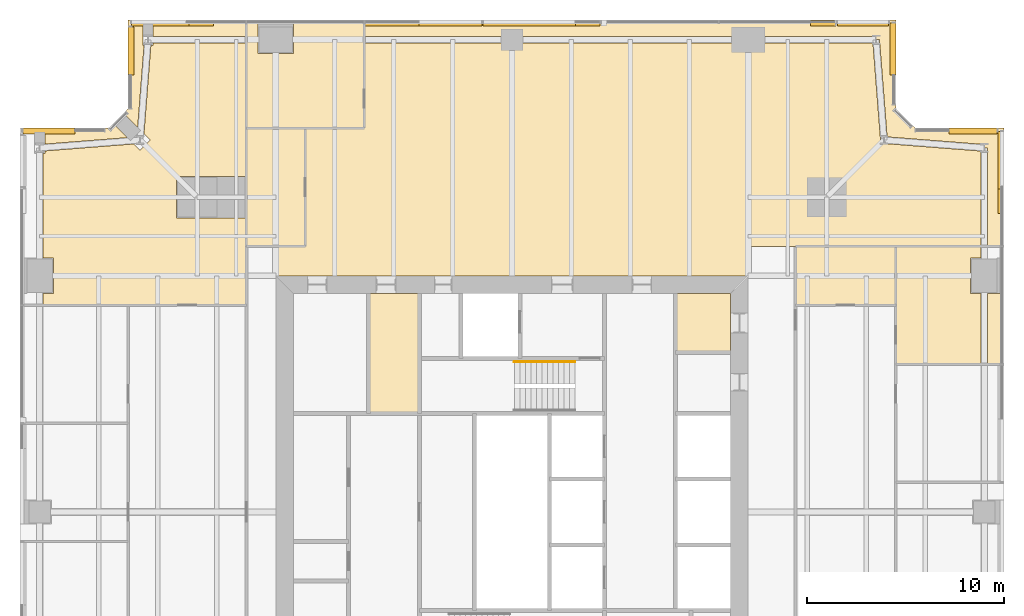
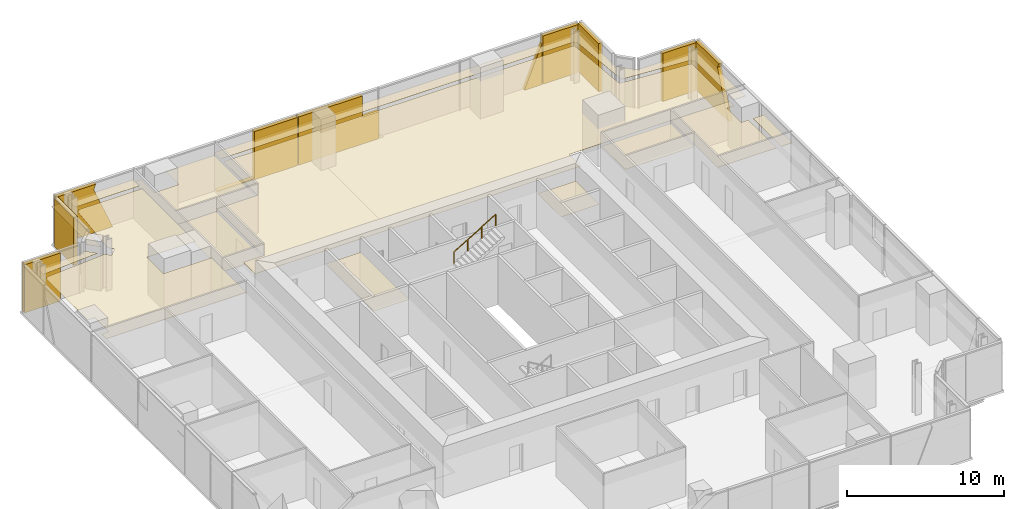
# One storey, part 13 of 16: 23 coverings, 1 railing.
"""IFC4 building model written with IfcOpenShell, lengths in metres."""

from ifc_helpers import new_model, si_unit, direction, frame, origin, origin_2d, place, context, subcontext, project, spatial, polyline, circle, outline, extrude, material, layer, layer_set, type_object, element, save


model = new_model("IFC4")

# Units and contexts
model_context = context("Model", 3, precision=1e-05, world=origin(), true_north=direction((0.0, 1.0)))
body_context = subcontext(model_context, "Body", "Model", "MODEL_VIEW")
ifc_project = project(units=[si_unit("LENGTHUNIT", "METRE"), si_unit("AREAUNIT", "SQUARE_METRE"), si_unit("VOLUMEUNIT", "CUBIC_METRE"), si_unit("PLANEANGLEUNIT", "RADIAN"), si_unit("MASSUNIT", "GRAM", prefix="KILO")], contexts=[model_context])

# Site, building, storey
site_placement = place(None, origin())
site = spatial("IfcSite", under=ifc_project, at=site_placement, CompositionType="ELEMENT")
building_placement = place(site_placement, origin())
building = spatial("IfcBuilding", under=site, at=building_placement, Name="Fenwick Lantern Interchange", CompositionType="ELEMENT")
storey_placement = place(building_placement, frame((0.0, 0.0, 213.800048828125)))
storey = spatial("IfcBuildingStorey", under=building, at=storey_placement, Name="L50", CompositionType="ELEMENT", Elevation=213.800048828125)

# Coverings
ifc_material_1 = material(Name="Mineral fibre acoustic tile on suspended grid")
ifc_layer_1 = layer(ifc_material_1, 0.02001953125)
ifc_layer_set_1 = layer_set([ifc_layer_1], Name="ACOUSTIC TILE CEILING 20")
covering_type_1 = type_object("IfcCoveringType", Name="ACOUSTIC TILE CEILING 20", PredefinedType="CEILING", material=ifc_layer_set_1)
covering_1_placement = place(storey_placement, frame((0.0, 0.0, 2.89990234375)))
element("IfcCovering", 1, at=covering_1_placement, inside=storey, type_object=covering_type_1, Name="Office ceiling", PredefinedType="CEILING", context=body_context, shape_type="SweptSolid", body=[
    extrude(outline(polyline([(44.5, 32.5), (48.82763671875, 32.5), (48.82763671875, 36.10009765625), (48.300048828125, 36.10009765625), (48.300048828125, 37.89990234375), (48.82763671875, 37.89990234375), (48.82763671875, 38.5), (44.5, 38.5), (44.5, 32.5)])), origin(), (0.0, 0.0, 1.0), 0.02001953125),
])
covering_2_placement = place(storey_placement, frame((0.0, 0.0, 2.89990234375)))
element("IfcCovering", 2, at=covering_2_placement, inside=storey, type_object=covering_type_1, Name="Office ceiling", PredefinedType="CEILING", context=body_context, shape_type="SweptSolid", body=[
    extrude(outline(polyline([(49.17236328125, 32.5), (50.0, 32.5), (50.0, 36.10009765625), (49.17236328125, 36.10009765625), (49.17236328125, 32.5)])), origin(), (0.0, 0.0, 1.0), 0.02001953125),
])
covering_3_placement = place(storey_placement, frame((0.0, 0.0, 2.89990234375)))
element("IfcCovering", 3, at=covering_3_placement, inside=storey, type_object=covering_type_1, Name="Open office ceiling", PredefinedType="CEILING", context=body_context, shape_type="SweptSolid", body=[
    extrude(outline(polyline([(37.0, 38.5), (48.82763671875, 38.5), (48.82763671875, 43.340576171875), (43.886474609375, 43.72802734375), (43.89990234375, 43.89990234375), (43.72802734375, 43.886474609375), (43.340576171875, 48.82763671875), (37.0, 48.82763671875), (25.0, 48.82763671875), (17.5, 48.82763671875), (17.5, 44.5), (14.5, 44.5), (14.5, 38.5), (13.0, 38.5), (13.0, 37.0), (37.0, 37.0), (37.0, 38.5)])), origin(), (0.0, 0.0, 1.0), 0.02001953125),
])
covering_4_placement = place(storey_placement, frame((0.0, 0.0, 2.89990234375)))
element("IfcCovering", 4, at=covering_4_placement, inside=storey, type_object=covering_type_1, Name="Open office ceiling", PredefinedType="CEILING", context=body_context, shape_type="SweptSolid", body=[
    extrude(outline(polyline([(44.5, 45.5), (44.5, 50.0), (17.5, 50.0), (17.5, 49.17236328125), (25.0, 49.17236328125), (37.0, 49.17236328125), (43.5, 49.17236328125), (43.5, 49.0), (43.671875, 49.013427734375), (44.060302734375, 44.060302734375), (49.013427734375, 43.671875), (49.0, 43.5), (49.17236328125, 43.5), (49.17236328125, 38.5), (50.0, 38.5), (50.0, 44.5), (45.5, 44.5), (44.5, 45.5)])), origin(), (0.0, 0.0, 1.0), 0.02001953125),
])
covering_5_placement = place(storey_placement, frame((0.0, 0.0, 2.699951171875)))
element("IfcCovering", 5, at=covering_5_placement, inside=storey, type_object=covering_type_1, Name="Quiet room ceiling", PredefinedType="CEILING", context=body_context, shape_type="SweptSolid", body=[
    extrude(outline(polyline([(17.5, 50.0), (13.89990234375, 50.0), (13.89990234375, 48.300048828125), (12.10009765625, 48.300048828125), (12.10009765625, 50.0), (11.5, 50.0), (11.5, 44.5), (17.5, 44.5), (17.5, 50.0)])), origin(), (0.0, 0.0, 1.0), 0.02001953125),
])
covering_6_placement = place(storey_placement, frame((0.0, 0.0, 2.89990234375)))
element("IfcCovering", 6, at=covering_6_placement, inside=storey, type_object=covering_type_1, Name="Office ceiling", PredefinedType="CEILING", context=body_context, shape_type="SweptSolid", body=[
    extrude(outline(polyline([(6.76220703125, 48.71240234375), (6.650390625, 48.71240234375), (6.298095703125, 44.22216796875), (6.620361328125, 43.89990234375), (6.10009765625, 43.379638671875), (5.77783203125, 43.701904296875), (1.26220703125, 43.34765625), (1.26220703125, 43.21240234375), (1.17236328125, 43.21240234375), (1.17236328125, 37.89990234375), (1.699951171875, 37.89990234375), (1.699951171875, 36.10009765625), (1.17236328125, 36.10009765625), (1.17236328125, 35.5), (11.5, 35.5), (11.5, 39.949951171875), (7.949951171875, 39.949951171875), (7.949951171875, 42.050048828125), (11.5, 42.050048828125), (11.5, 48.82763671875), (6.76220703125, 48.82763671875), (6.76220703125, 48.71240234375)])), origin(), (0.0, 0.0, 1.0), 0.02001953125),
])
covering_7_placement = place(storey_placement, frame((0.0, 0.0, 2.89990234375)))
element("IfcCovering", 7, at=covering_7_placement, inside=storey, type_object=covering_type_1, Name="Office ceiling", PredefinedType="CEILING", context=body_context, shape_type="SweptSolid", body=[
    extrude(outline(polyline([(6.76220703125, 50.0), (6.76220703125, 49.17236328125), (11.5, 49.17236328125), (11.5, 50.0), (6.76220703125, 50.0)])), origin(), (0.0, 0.0, 1.0), 0.02001953125),
])
covering_8_placement = place(storey_placement, frame((0.0, 0.0, 2.89990234375)))
element("IfcCovering", 8, at=covering_8_placement, inside=storey, type_object=covering_type_1, Name="Office ceiling", PredefinedType="CEILING", context=body_context, shape_type="SweptSolid", body=[
    extrude(outline(polyline([(6.304443359375, 48.71240234375), (6.23779296875, 48.71240234375), (6.23779296875, 50.0), (5.5, 50.0), (5.5, 45.5), (5.26025390625, 45.26025390625), (5.9775390625, 44.542724609375), (6.304443359375, 48.71240234375)])), origin(), (0.0, 0.0, 1.0), 0.02001953125),
])
covering_9_placement = place(storey_placement, frame((0.0, 0.0, 2.89990234375)))
element("IfcCovering", 9, at=covering_9_placement, inside=storey, type_object=covering_type_1, Name="Office ceiling", PredefinedType="CEILING", context=body_context, shape_type="SweptSolid", body=[
    extrude(outline(polyline([(1.26220703125, 44.5), (1.26220703125, 43.693603515625), (5.457275390625, 44.0224609375), (4.73974609375, 44.73974609375), (4.5, 44.5), (1.26220703125, 44.5)])), origin(), (0.0, 0.0, 1.0), 0.02001953125),
])
ifc_material_2 = material(Name="Granite cladding, warm grey flamed finish, on aluminium carrier frame", Category="masonry")
ifc_layer_2 = layer(ifc_material_2, 0.300048828125)
ifc_layer_set_2 = layer_set([ifc_layer_2], Name="BRACE CASING PANEL 300")
covering_type_2 = type_object("IfcCoveringType", Name="BRACE CASING PANEL 300", PredefinedType="CLADDING", material=ifc_layer_set_2)
covering_10_placement = place(storey_placement, frame((49.89990234375, 5.60009765625, 0.0), z_axis=(0.0, 0.0, 1.0), x_axis=(0.0, 1.0, 0.0)))
element("IfcCovering", 10, at=covering_10_placement, inside=storey, type_object=covering_type_2, Name="Brace casing 05 bay 06a", PredefinedType="CLADDING", context=body_context, shape_type="SweptSolid", body=[
    extrude(outline(polyline([(34.578369140625, 0.0), (38.735107421875, 0.0), (38.735107421875, 3.75), (35.8095703125, 3.75), (35.9560546875, 3.3916015625), (34.578369140625, 0.0)])), frame((0.0, 0.2001953125, 0.0), z_axis=(0.0, -1.0, 0.0), x_axis=(1.0, 0.0, 0.0)), (0.0, 0.0, 1.0), 0.300048828125),
])
covering_11_placement = place(storey_placement, frame((49.89990234375, 44.39990234375, 0.0), z_axis=(0.0, 0.0, 1.0), x_axis=(-1.0, 0.0, 0.0)))
element("IfcCovering", 11, at=covering_11_placement, inside=storey, type_object=covering_type_2, Name="Brace casing 06 bay 00a", PredefinedType="CLADDING", context=body_context, shape_type="SweptSolid", body=[
    extrude(outline(polyline([(0.264892578125, 0.0), (2.699951171875, 0.0), (2.699951171875, 3.75), (0.264892578125, 3.75), (0.264892578125, 0.0)])), frame((0.0, 0.2001953125, 0.0), z_axis=(0.0, -1.0, 0.0), x_axis=(1.0, 0.0, 0.0)), (0.0, 0.0, 1.0), 0.300048828125),
])
covering_12_placement = place(storey_placement, frame((44.39990234375, 45.45849609375, 0.0), z_axis=(0.0, 0.0, 1.0), x_axis=(0.0, 1.0, 0.0)))
element("IfcCovering", 12, at=covering_12_placement, inside=storey, type_object=covering_type_2, Name="Brace casing 08 bay 00a", PredefinedType="CLADDING", context=body_context, shape_type="SweptSolid", body=[
    extrude(outline(polyline([(1.741455078125, 0.0), (4.37646484375, 0.0), (4.37646484375, 3.75), (1.741455078125, 3.75), (1.741455078125, 0.0)])), frame((0.0, 0.2001953125, 0.0), z_axis=(0.0, -1.0, 0.0), x_axis=(1.0, 0.0, 0.0)), (0.0, 0.0, 1.0), 0.300048828125),
])
covering_13_placement = place(storey_placement, frame((44.39990234375, 49.89990234375, 0.0), z_axis=(0.0, 0.0, 1.0), x_axis=(-1.0, 0.0, 0.0)))
element("IfcCovering", 13, at=covering_13_placement, inside=storey, type_object=covering_type_2, Name="Brace casing 09 bay 00a", PredefinedType="CLADDING", context=body_context, shape_type="SweptSolid", body=[
    extrude(outline(polyline([(0.264892578125, 0.0), (2.867431640625, 0.0), (2.867431640625, 3.75), (0.264892578125, 3.75), (0.264892578125, 0.0)])), frame((0.0, 0.2001953125, 0.0), z_axis=(0.0, -1.0, 0.0), x_axis=(1.0, 0.0, 0.0)), (0.0, 0.0, 1.0), 0.300048828125),
])
covering_14_placement = place(storey_placement, frame((44.39990234375, 49.89990234375, 0.0), z_axis=(0.0, 0.0, 1.0), x_axis=(-1.0, 0.0, 0.0)))
element("IfcCovering", 14, at=covering_14_placement, inside=storey, type_object=covering_type_2, Name="Brace casing 09 bay 01a", PredefinedType="CLADDING", context=body_context, shape_type="SweptSolid", body=[
    extrude(outline(polyline([(2.9326171875, 0.0), (4.2216796875, 0.0), (2.9326171875, 3.17333984375), (2.9326171875, 0.0)])), frame((0.0, 0.2001953125, 0.0), z_axis=(0.0, -1.0, 0.0), x_axis=(1.0, 0.0, 0.0)), (0.0, 0.0, 1.0), 0.300048828125),
])
covering_15_placement = place(storey_placement, frame((44.39990234375, 49.89990234375, 0.0), z_axis=(0.0, 0.0, 1.0), x_axis=(-1.0, 0.0, 0.0)))
element("IfcCovering", 15, at=covering_15_placement, inside=storey, type_object=covering_type_2, Name="Brace casing 09 bay 03a", PredefinedType="CLADDING", context=body_context, shape_type="SweptSolid", body=[
    extrude(outline(polyline([(14.9326171875, 0.0), (20.867431640625, 0.0), (20.867431640625, 3.75), (16.172607421875, 3.75), (16.172607421875, 2.090576171875), (14.9326171875, 2.090576171875), (14.9326171875, 0.0)])), frame((0.0, 0.2001953125, 0.0), z_axis=(0.0, -1.0, 0.0), x_axis=(1.0, 0.0, 0.0)), (0.0, 0.0, 1.0), 0.300048828125),
])
covering_16_placement = place(storey_placement, frame((44.39990234375, 49.89990234375, 0.0), z_axis=(0.0, 0.0, 1.0), x_axis=(-1.0, 0.0, 0.0)))
element("IfcCovering", 16, at=covering_16_placement, inside=storey, type_object=covering_type_2, Name="Brace casing 09 bay 04a", PredefinedType="CLADDING", context=body_context, shape_type="SweptSolid", body=[
    extrude(outline(polyline([(20.9326171875, 0.0), (26.867431640625, 0.0), (26.867431640625, 0.0927734375), (24.1259765625, 0.0927734375), (24.1259765625, 3.75), (20.9326171875, 3.75), (20.9326171875, 0.0)])), frame((0.0, 0.2001953125, 0.0), z_axis=(0.0, -1.0, 0.0), x_axis=(1.0, 0.0, 0.0)), (0.0, 0.0, 1.0), 0.300048828125),
])
covering_17_placement = place(storey_placement, frame((44.39990234375, 49.89990234375, 0.0), z_axis=(0.0, 0.0, 1.0), x_axis=(-1.0, 0.0, 0.0)))
element("IfcCovering", 17, at=covering_17_placement, inside=storey, type_object=covering_type_2, Name="Brace casing 09 bay 06a", PredefinedType="CLADDING", context=body_context, shape_type="SweptSolid", body=[
    extrude(outline(polyline([(34.578369140625, 0.0), (38.735107421875, 0.0), (38.735107421875, 3.75), (35.8095703125, 3.75), (35.9560546875, 3.3916015625), (34.578369140625, 0.0)])), frame((0.0, 0.2001953125, 0.0), z_axis=(0.0, -1.0, 0.0), x_axis=(1.0, 0.0, 0.0)), (0.0, 0.0, 1.0), 0.300048828125),
])
covering_18_placement = place(storey_placement, frame((5.60009765625, 49.89990234375, 0.0), z_axis=(0.0, 0.0, 1.0), x_axis=(0.0, -1.0, 0.0)))
element("IfcCovering", 18, at=covering_18_placement, inside=storey, type_object=covering_type_2, Name="Brace casing 10 bay 00a", PredefinedType="CLADDING", context=body_context, shape_type="SweptSolid", body=[
    extrude(outline(polyline([(0.264892578125, 0.0), (2.699951171875, 0.0), (2.699951171875, 3.75), (0.264892578125, 3.75), (0.264892578125, 0.0)])), frame((0.0, 0.2001953125, 0.0), z_axis=(0.0, -1.0, 0.0), x_axis=(1.0, 0.0, 0.0)), (0.0, 0.0, 1.0), 0.300048828125),
])
covering_19_placement = place(storey_placement, frame((4.54150390625, 44.39990234375, 0.0), z_axis=(0.0, 0.0, 1.0), x_axis=(-1.0, 0.0, 0.0)))
element("IfcCovering", 19, at=covering_19_placement, inside=storey, type_object=covering_type_2, Name="Brace casing 12 bay 00a", PredefinedType="CLADDING", context=body_context, shape_type="SweptSolid", body=[
    extrude(outline(polyline([(1.741455078125, 0.0), (4.37646484375, 0.0), (4.37646484375, 3.75), (1.741455078125, 3.75), (1.741455078125, 0.0)])), frame((0.0, 0.2001953125, 0.0), z_axis=(0.0, -1.0, 0.0), x_axis=(1.0, 0.0, 0.0)), (0.0, 0.0, 1.0), 0.300048828125),
])

# Railing
ifc_material_3 = material(Name="Stainless steel handrail", Category="steel")
railing_type = type_object("IfcRailingType", Name="HANDRAIL 900", PredefinedType="HANDRAIL", material=ifc_material_3)
railing_placement = place(storey_placement, frame((25.1201171875, 32.6259765625, 2.16650390625)))
element("IfcRailing", 20, at=railing_placement, inside=storey, type_object=railing_type, Name="L50/STAIR/ST2/HR2", PredefinedType="HANDRAIL", context=body_context, shape_type="SweptSolid", body=[
    extrude(circle(Radius=0.02392578125, at=origin_2d()), frame((0.0, 0.0, 0.8759765625), z_axis=(0.859260807169, 0.0, 0.511537745687), x_axis=(0.0, 1.0, 0.0)), (0.0, 0.0, 1.0), 3.584228515625),
    extrude(circle(Radius=0.02099609375, at=origin_2d()), origin(), (0.0, 0.0, 1.0), 0.851806640625),
    extrude(circle(Radius=0.02099609375, at=origin_2d()), frame((1.026611328125, 0.0, 0.611083984375)), (0.0, 0.0, 1.0), 0.851806640625),
    extrude(circle(Radius=0.02099609375, at=origin_2d()), frame((2.05322265625, 0.0, 1.222412109375)), (0.0, 0.0, 1.0), 0.851806640625),
    extrude(circle(Radius=0.02099609375, at=origin_2d()), frame((3.079833984375, 0.0, 1.83349609375)), (0.0, 0.0, 1.0), 0.851806640625),
])

# Coverings
ifc_material_4 = material(Name="Moisture resistant gypsum board on suspended frame, painted")
ifc_layer_3 = layer(ifc_material_4, 0.014892578125)
ifc_layer_set_3 = layer_set([ifc_layer_3], Name="MOISTURE RESISTANT CEILING 15")
covering_type_3 = type_object("IfcCoveringType", Name="MOISTURE RESISTANT CEILING 15", PredefinedType="CEILING", material=ifc_layer_set_3)
covering_20_placement = place(storey_placement, frame((0.0, 0.0, 2.599853515625)))
element("IfcCovering", 21, at=covering_20_placement, inside=storey, type_object=covering_type_3, Name="Men's WC ceiling", PredefinedType="CEILING", context=body_context, shape_type="SweptSolid", body=[
    extrude(outline(polyline([(20.300048828125, 36.10009765625), (17.699951171875, 36.10009765625), (17.699951171875, 30.0), (20.300048828125, 30.0), (20.300048828125, 36.10009765625)])), origin(), (0.0, 0.0, 1.0), 0.01513671875),
])
covering_21_placement = place(storey_placement, frame((0.0, 0.0, 2.599853515625)))
element("IfcCovering", 22, at=covering_21_placement, inside=storey, type_object=covering_type_3, Name="Accessible WC ceiling", PredefinedType="CEILING", context=body_context, shape_type="SweptSolid", body=[
    extrude(outline(polyline([(36.10009765625, 36.10009765625), (33.300048828125, 36.10009765625), (33.300048828125, 33.10009765625), (36.10009765625, 33.10009765625), (36.10009765625, 36.10009765625)])), origin(), (0.0, 0.0, 1.0), 0.01513671875),
])
covering_22_placement = place(storey_placement, frame((0.0, 0.0, 2.699951171875)))
element("IfcCovering", 23, at=covering_22_placement, inside=storey, type_object=covering_type_3, Name="Pantry ceiling", PredefinedType="CEILING", context=body_context, shape_type="SweptSolid", body=[
    extrude(outline(polyline([(14.5, 44.5), (11.5, 44.5), (11.5, 38.5), (14.5, 38.5), (14.5, 44.5)])), origin(), (0.0, 0.0, 1.0), 0.014892578125),
])
ifc_material_5 = material(Name="Gypsum plasterboard on suspended frame, painted")
ifc_layer_4 = layer(ifc_material_5, 0.014892578125)
ifc_layer_set_4 = layer_set([ifc_layer_4], Name="PLASTERBOARD CEILING 15")
covering_type_4 = type_object("IfcCoveringType", Name="PLASTERBOARD CEILING 15", PredefinedType="CEILING", material=ifc_layer_set_4)
covering_23_placement = place(storey_placement, frame((0.0, 0.0, 2.699951171875)))
element("IfcCovering", 24, at=covering_23_placement, inside=storey, type_object=covering_type_4, Name="Wellness room ceiling", PredefinedType="CEILING", context=body_context, shape_type="SweptSolid", body=[
    extrude(outline(polyline([(44.5, 35.5), (44.5, 38.5), (39.39990234375, 38.5), (39.39990234375, 35.5), (44.5, 35.5)])), origin(), (0.0, 0.0, 1.0), 0.014892578125),
])

save(model, "model.ifc")
